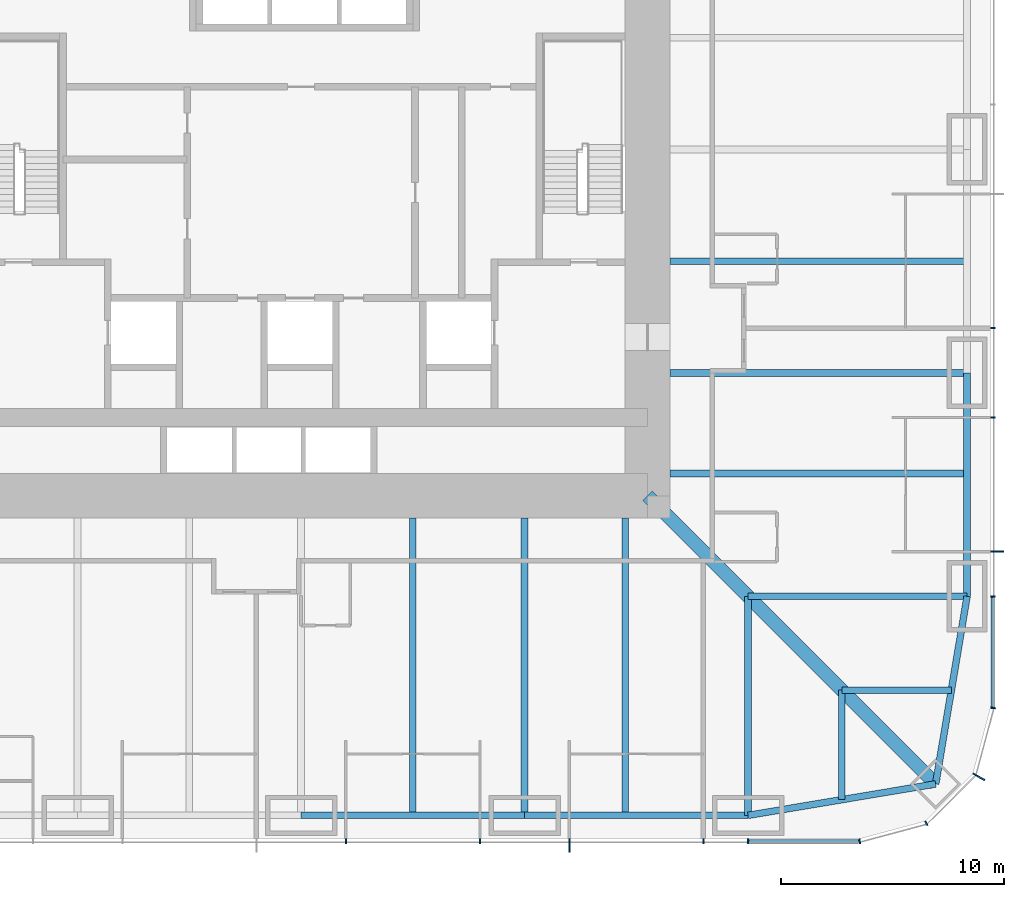
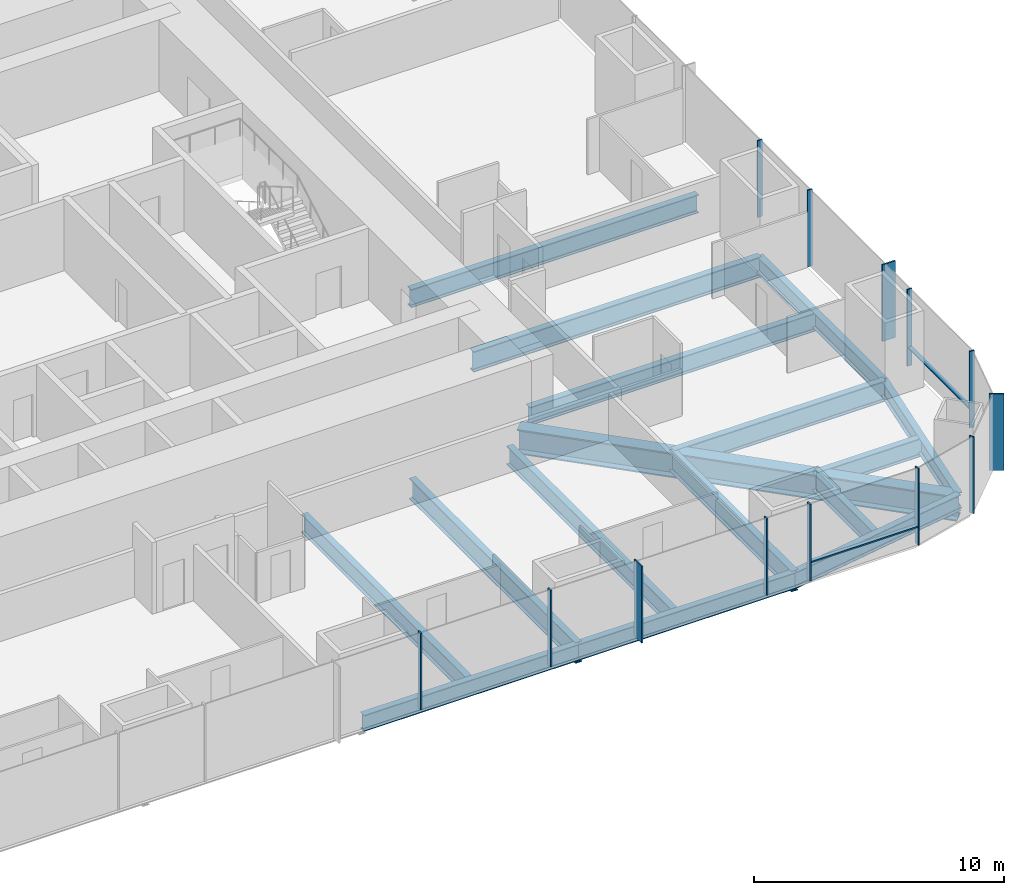
# One storey, part 4 of 17: 16 beams, 15 members, 3 elements without a shape of their own.
"""IFC4 building model written with IfcOpenShell, lengths in metres."""

from ifc_helpers import new_model, si_unit, direction, frame, origin, origin_2d, place, context, subcontext, project, spatial, rectangle, i_section, extrude, material, material_profile, profile_set, type_object, element, aggregate, save


model = new_model("IFC4")

# Units and contexts
model_context = context("Model", 3, precision=1e-05, world=origin(), true_north=direction((0.0, 1.0)))
body_context = subcontext(model_context, "Body", "Model", "MODEL_VIEW")
ifc_project = project(units=[si_unit("LENGTHUNIT", "METRE"), si_unit("AREAUNIT", "SQUARE_METRE"), si_unit("VOLUMEUNIT", "CUBIC_METRE"), si_unit("PLANEANGLEUNIT", "RADIAN"), si_unit("MASSUNIT", "GRAM", prefix="KILO")], contexts=[model_context])

# Site, building, storey
site_placement = place(None, origin())
site = spatial("IfcSite", under=ifc_project, at=site_placement, CompositionType="ELEMENT")
building_placement = place(site_placement, origin())
building = spatial("IfcBuilding", under=site, at=building_placement, Name="Khuree Lantern Residences", CompositionType="ELEMENT")
storey_placement = place(building_placement, frame((0.0, 0.0, 88.5)))
storey = spatial("IfcBuildingStorey", under=building, at=storey_placement, Name="L22", CompositionType="ELEMENT", Elevation=88.5)

# Beams
ifc_material_1 = material(Name="Steel S355", Category="steel")
ifc_material_profile_1 = material_profile(ifc_material_1, i_section(OverallWidth=0.300048828125, OverallDepth=0.889892578125, WebThickness=0.01611328125, FlangeThickness=0.030029296875, FilletRadius=0.030029296875, at=origin_2d()), Name="HE 900 A")
ifc_profile_set_1 = profile_set([ifc_material_profile_1], Name="Steel S355")
beam_type_1 = type_object("IfcBeamType", Name="B-15 SECONDARY BEAM HE 900 A", PredefinedType="BEAM", material=ifc_profile_set_1)
for number, where, z_axis, x_axis, name in (
    (1, (29.800048828125, -5.0, -0.695068359375), (-1.0, 0.0, 0.0), (0.0, -1.0, 0.0), "Secondary beam E4"),
    (2, (29.800048828125, -14.5, -0.695068359375), (-1.0, 0.0, 0.0), (0.0, -1.0, 0.0), "Secondary beam E5"),
):
    element("IfcBeam", number, at=place(storey_placement, frame(where, z_axis=z_axis, x_axis=x_axis)), inside=storey, type_object=beam_type_1, Name=name, PredefinedType="BEAM", context=body_context, shape_type="SweptSolid", body=[
        extrude(i_section(OverallWidth=0.300048828125, OverallDepth=0.889892578125, WebThickness=0.01611328125, FlangeThickness=0.030029296875, FilletRadius=0.030029296875, at=origin_2d()), origin(), (0.0, 0.0, 1.0), 13.300048828125),
    ])
for number, where, z_axis, x_axis, name in (
    (3, (29.09716796875, -24.197021484375, -0.695068359375), (-1.0, 0.0, 0.0), (0.0, -1.0, 0.0), "Secondary beam E6"),
    (4, (24.197021484375, -29.09716796875, -0.695068359375), (0.0, 1.0, 0.0), (-1.0, 0.0, 0.0), "Secondary beam S1"),
):
    element("IfcBeam", number, at=place(storey_placement, frame(where, z_axis=z_axis, x_axis=x_axis)), inside=storey, type_object=beam_type_1, Name=name, PredefinedType="BEAM", context=body_context, shape_type="SweptSolid", body=[
        extrude(i_section(OverallWidth=0.300048828125, OverallDepth=0.889892578125, WebThickness=0.01611328125, FlangeThickness=0.030029296875, FilletRadius=0.030029296875, at=origin_2d()), origin(), (0.0, 0.0, 1.0), 4.900146484375),
    ])
for number, where, z_axis, x_axis, name in (
    (5, (14.5, -29.800048828125, -0.695068359375), (0.0, 1.0, 0.0), (-1.0, 0.0, 0.0), "Secondary beam S2"),
    (6, (5.0, -29.800048828125, -0.695068359375), (0.0, 1.0, 0.0), (-1.0, 0.0, 0.0), "Secondary beam S3"),
):
    element("IfcBeam", number, at=place(storey_placement, frame(where, z_axis=z_axis, x_axis=x_axis)), inside=storey, type_object=beam_type_1, Name=name, PredefinedType="BEAM", context=body_context, shape_type="SweptSolid", body=[
        extrude(i_section(OverallWidth=0.300048828125, OverallDepth=0.889892578125, WebThickness=0.01611328125, FlangeThickness=0.030029296875, FilletRadius=0.030029296875, at=origin_2d()), origin(), (0.0, 0.0, 1.0), 13.300048828125),
    ])
ifc_material_profile_2 = material_profile(ifc_material_1, i_section(OverallWidth=0.300048828125, OverallDepth=0.7900390625, WebThickness=0.014892578125, FlangeThickness=0.028076171875, FilletRadius=0.030029296875, at=origin_2d()), Name="HE 800 A")
ifc_profile_set_2 = profile_set([ifc_material_profile_2], Name="Steel S355")
beam_type_2 = type_object("IfcBeamType", Name="E-15 SPANDREL BEAM HE 800 A", PredefinedType="SPANDREL", material=ifc_profile_set_2)
beam_1_placement = place(storey_placement, frame((29.800048828125, -10.0, -0.64501953125), z_axis=(0.0, -1.0, 0.0), x_axis=(1.0, 0.0, 0.0)))
element("IfcBeam", 7, at=beam_1_placement, inside=storey, type_object=beam_type_2, Name="Spandrel beam E5", PredefinedType="SPANDREL", context=body_context, shape_type="SweptSolid", body=[
    extrude(i_section(OverallWidth=0.300048828125, OverallDepth=0.7900390625, WebThickness=0.014892578125, FlangeThickness=0.028076171875, FilletRadius=0.030029296875, at=origin_2d()), origin(), (0.0, 0.0, 1.0), 10.0),
])
for number, where, z_axis, x_axis, name in (
    (8, (29.800048828125, -20.0, -0.64501953125), (-0.165199022349, -0.986260251158, 0.0), (0.986260251158, -0.165199022349, 0.0), "Spandrel beam E6"),
    (9, (28.39404296875, -28.39404296875, -0.64501953125), (-0.986260251158, -0.165199022349, 0.0), (0.165199022349, -0.986260251158, 0.0), "Spandrel beam S1"),
):
    element("IfcBeam", number, at=place(storey_placement, frame(where, z_axis=z_axis, x_axis=x_axis)), inside=storey, type_object=beam_type_2, Name=name, PredefinedType="SPANDREL", context=body_context, shape_type="SweptSolid", body=[
        extrude(i_section(OverallWidth=0.300048828125, OverallDepth=0.7900390625, WebThickness=0.014892578125, FlangeThickness=0.028076171875, FilletRadius=0.030029296875, at=origin_2d()), origin(), (0.0, 0.0, 1.0), 8.510986328125),
    ])
for number, where, z_axis, x_axis, name in (
    (10, (20.0, -29.800048828125, -0.64501953125), (-1.0, 0.0, 0.0), (0.0, -1.0, 0.0), "Spandrel beam S2"),
    (11, (10.0, -29.800048828125, -0.64501953125), (-1.0, 0.0, 0.0), (0.0, -1.0, 0.0), "Spandrel beam S3"),
):
    element("IfcBeam", number, at=place(storey_placement, frame(where, z_axis=z_axis, x_axis=x_axis)), inside=storey, type_object=beam_type_2, Name=name, PredefinedType="SPANDREL", context=body_context, shape_type="SweptSolid", body=[
        extrude(i_section(OverallWidth=0.300048828125, OverallDepth=0.7900390625, WebThickness=0.014892578125, FlangeThickness=0.028076171875, FilletRadius=0.030029296875, at=origin_2d()), origin(), (0.0, 0.0, 1.0), 10.0),
    ])

# Curtain wall, member
ifc_material_2 = material(Name="Bronze anodised aluminium", Category="aluminium")
curtain_wall_type_1 = type_object("IfcCurtainWallType", Name="CW-T2 TOWER CORNER CURTAIN WALL", PredefinedType="USERDEFINED", material=ifc_material_2)
curtain_wall_1_placement = place(storey_placement, origin())
curtain_wall_1 = element("IfcCurtainWall", 12, at=curtain_wall_1_placement, inside=storey, type_object=curtain_wall_type_1, Name="L22 SOUTH-EAST CORNER CURTAIN WALL", ObjectType="Faceted corner curtain wall", PredefinedType="USERDEFINED")
ifc_material_profile_3 = material_profile(ifc_material_2, rectangle(XDim=0.06494140625, YDim=0.60009765625, at=origin_2d()), Name="F1 65X600")
ifc_profile_set_3 = profile_set([ifc_material_profile_3], Name="Bronze anodised aluminium")
member_type_1 = type_object("IfcMemberType", Name="F1 BRONZE FIN MULLION TOWER 65X600", PredefinedType="MULLION", material=ifc_profile_set_3)
member_1_placement = place(storey_placement, frame((30.326171875, -28.074951171875, 0.0), z_axis=(0.0, 0.0, 1.0), x_axis=(0.500000056923, 0.86602537092, 0.0)))
member_1 = element("IfcMember", 13, at=member_1_placement, type_object=member_type_1, Name="L22 SOUTH-EAST CORNER FIN MULLION 3", PredefinedType="MULLION", context=body_context, shape_type="SweptSolid", body=[
    extrude(rectangle(XDim=0.06494140625, YDim=0.60009765625, at=origin_2d()), origin(), (0.0, 0.0, 1.0), 3.75),
])

curtain_wall_type_2 = type_object("IfcCurtainWallType", Name="CW-T1 TOWER FACE CURTAIN WALL", PredefinedType="USERDEFINED", material=ifc_material_2)
curtain_wall_2_placement = place(storey_placement, origin())
curtain_wall_2 = element("IfcCurtainWall", 14, at=curtain_wall_2_placement, inside=storey, type_object=curtain_wall_type_2, Name="L22 EAST FACE CURTAIN WALL", ObjectType="Stick-built curtain wall", PredefinedType="USERDEFINED")
member_2_placement = place(storey_placement, frame((31.14990234375, -18.0, 0.0), z_axis=(0.0, 0.0, 1.0), x_axis=(0.0, 1.0, 0.0)))
member_2 = element("IfcMember", 15, at=member_2_placement, type_object=member_type_1, Name="L22 EAST FACE FIN MULLION 6", PredefinedType="MULLION", context=body_context, shape_type="SweptSolid", body=[
    extrude(rectangle(XDim=0.06494140625, YDim=0.60009765625, at=origin_2d()), origin(), (0.0, 0.0, 1.0), 3.75),
])

curtain_wall_3_placement = place(storey_placement, origin())
curtain_wall_3 = element("IfcCurtainWall", 16, at=curtain_wall_3_placement, inside=storey, type_object=curtain_wall_type_2, Name="L22 SOUTH FACE CURTAIN WALL", ObjectType="Stick-built curtain wall", PredefinedType="USERDEFINED")
member_3_placement = place(storey_placement, frame((12.0, -31.14990234375, 0.0), z_axis=(0.0, 0.0, 1.0), x_axis=(1.0, 0.0, 0.0)))
member_3 = element("IfcMember", 17, at=member_3_placement, type_object=member_type_1, Name="L22 SOUTH FACE FIN MULLION 54", PredefinedType="MULLION", context=body_context, shape_type="SweptSolid", body=[
    extrude(rectangle(XDim=0.06494140625, YDim=0.60009765625, at=origin_2d()), origin(), (0.0, 0.0, 1.0), 3.75),
])

# Beams
ifc_material_profile_4 = material_profile(ifc_material_1, i_section(OverallWidth=0.302001953125, OverallDepth=1.008056640625, WebThickness=0.02099609375, FlangeThickness=0.0400390625, FilletRadius=0.030029296875, at=origin_2d()), Name="HE 1000 M")
ifc_profile_set_4 = profile_set([ifc_material_profile_4], Name="Steel S355")
beam_type_3 = type_object("IfcBeamType", Name="G-15 GIRDER HE 1000 M", PredefinedType="BEAM", material=ifc_profile_set_4)
beam_2_placement = place(storey_placement, frame((29.800048828125, -10.0, -0.75390625), z_axis=(-1.0, 0.0, 0.0), x_axis=(0.0, -1.0, 0.0)))
element("IfcBeam", 18, at=beam_2_placement, inside=storey, type_object=beam_type_3, Name="Girder E4", PredefinedType="BEAM", context=body_context, shape_type="SweptSolid", body=[
    extrude(i_section(OverallWidth=0.302001953125, OverallDepth=1.008056640625, WebThickness=0.02099609375, FlangeThickness=0.0400390625, FilletRadius=0.030029296875, at=origin_2d()), origin(), (0.0, 0.0, 1.0), 13.300048828125),
])
for number, where, z_axis, x_axis, name in (
    (19, (29.800048828125, -20.0, -0.75390625), (-1.0, 0.0, 0.0), (0.0, -1.0, 0.0), "Girder E5"),
    (20, (20.0, -29.800048828125, -0.75390625), (0.0, 1.0, 0.0), (-1.0, 0.0, 0.0), "Girder S1"),
):
    element("IfcBeam", number, at=place(storey_placement, frame(where, z_axis=z_axis, x_axis=x_axis)), inside=storey, type_object=beam_type_3, Name=name, PredefinedType="BEAM", context=body_context, shape_type="SweptSolid", body=[
        extrude(i_section(OverallWidth=0.302001953125, OverallDepth=1.008056640625, WebThickness=0.02099609375, FlangeThickness=0.0400390625, FilletRadius=0.030029296875, at=origin_2d()), origin(), (0.0, 0.0, 1.0), 9.800048828125),
    ])
beam_3_placement = place(storey_placement, frame((10.0, -29.800048828125, -0.75390625), z_axis=(0.0, 1.0, 0.0), x_axis=(-1.0, 0.0, 0.0)))
element("IfcBeam", 21, at=beam_3_placement, inside=storey, type_object=beam_type_3, Name="Girder S2", PredefinedType="BEAM", context=body_context, shape_type="SweptSolid", body=[
    extrude(i_section(OverallWidth=0.302001953125, OverallDepth=1.008056640625, WebThickness=0.02099609375, FlangeThickness=0.0400390625, FilletRadius=0.030029296875, at=origin_2d()), origin(), (0.0, 0.0, 1.0), 13.300048828125),
])
ifc_material_profile_5 = material_profile(ifc_material_1, i_section(OverallWidth=0.60009765625, OverallDepth=1.199951171875, WebThickness=0.030029296875, FlangeThickness=0.06005859375, at=origin_2d()), Name="WELDED I 1200X600X30X60")
ifc_profile_set_5 = profile_set([ifc_material_profile_5], Name="Steel S355")
beam_type_4 = type_object("IfcBeamType", Name="GD-15 CORNER GIRDER WELDED I 1200X600X30X60", PredefinedType="BEAM", material=ifc_profile_set_5)
beam_4_placement = place(storey_placement, frame((28.39404296875, -28.39404296875, -0.85009765625), z_axis=(-0.707106781187, 0.707106781187, 0.0), x_axis=(-0.707106781187, -0.707106781187, 0.0)))
element("IfcBeam", 22, at=beam_4_placement, inside=storey, type_object=beam_type_4, Name="Corner girder SE", PredefinedType="BEAM", context=body_context, shape_type="SweptSolid", body=[
    extrude(i_section(OverallWidth=0.60009765625, OverallDepth=1.199951171875, WebThickness=0.030029296875, FlangeThickness=0.06005859375, at=origin_2d()), origin(), (0.0, 0.0, 1.0), 18.23486328125),
])

# Member
ifc_material_profile_6 = material_profile(ifc_material_2, rectangle(XDim=0.06494140625, YDim=0.219970703125, at=origin_2d()), Name="M1 65X220")
ifc_profile_set_6 = profile_set([ifc_material_profile_6], Name="Bronze anodised aluminium")
member_type_2 = type_object("IfcMemberType", Name="M1 BRONZE MULLION TOWER 65X220", PredefinedType="MULLION", material=ifc_profile_set_6)
member_4_placement = place(storey_placement, frame((24.994873046875, -30.961669921875, 0.0), z_axis=(0.0, 0.0, 1.0), x_axis=(0.991444852794, 0.130526257387, 0.0)))
member_4 = element("IfcMember", 23, at=member_4_placement, type_object=member_type_2, Name="L22 SOUTH-EAST CORNER MULLION 1", PredefinedType="MULLION", context=body_context, shape_type="SweptSolid", body=[
    extrude(rectangle(XDim=0.06494140625, YDim=0.219970703125, at=origin_2d()), origin(), (0.0, 0.0, 1.0), 3.75),
])

member_5_placement = place(storey_placement, frame((27.97998046875, -30.16162109375, 0.0), z_axis=(0.0, 0.0, 1.0), x_axis=(0.86602537092, 0.500000056923, 0.0)))
member_5 = element("IfcMember", 24, at=member_5_placement, type_object=member_type_2, Name="L22 SOUTH-EAST CORNER MULLION 2", PredefinedType="MULLION", context=body_context, shape_type="SweptSolid", body=[
    extrude(rectangle(XDim=0.06494140625, YDim=0.219970703125, at=origin_2d()), origin(), (0.0, 0.0, 1.0), 3.75),
])

aggregate(curtain_wall_1, [member_4, member_5, member_1])

member_6_placement = place(storey_placement, frame((30.961669921875, -24.994873046875, 0.0), z_axis=(0.0, 0.0, 1.0), x_axis=(0.130526257387, 0.991444852794, 0.0)))
member_6 = element("IfcMember", 25, at=member_6_placement, type_object=member_type_2, Name="L22 EAST FACE MULLION 4", PredefinedType="MULLION", context=body_context, shape_type="SweptSolid", body=[
    extrude(rectangle(XDim=0.06494140625, YDim=0.219970703125, at=origin_2d()), origin(), (0.0, 0.0, 1.0), 3.75),
])

member_7_placement = place(storey_placement, frame((30.9599609375, -20.0, 0.0), z_axis=(0.0, 0.0, 1.0), x_axis=(0.0, 1.0, 0.0)))
member_7 = element("IfcMember", 26, at=member_7_placement, type_object=member_type_2, Name="L22 EAST FACE MULLION 5", PredefinedType="MULLION", context=body_context, shape_type="SweptSolid", body=[
    extrude(rectangle(XDim=0.06494140625, YDim=0.219970703125, at=origin_2d()), origin(), (0.0, 0.0, 1.0), 3.75),
])

member_8_placement = place(storey_placement, frame((30.9599609375, -12.0, 0.0), z_axis=(0.0, 0.0, 1.0), x_axis=(0.0, 1.0, 0.0)))
member_8 = element("IfcMember", 27, at=member_8_placement, type_object=member_type_2, Name="L22 EAST FACE MULLION 7", PredefinedType="MULLION", context=body_context, shape_type="SweptSolid", body=[
    extrude(rectangle(XDim=0.06494140625, YDim=0.219970703125, at=origin_2d()), origin(), (0.0, 0.0, 1.0), 3.75),
])

member_9_placement = place(storey_placement, frame((30.9599609375, -8.0, 0.0), z_axis=(0.0, 0.0, 1.0), x_axis=(0.0, 1.0, 0.0)))
member_9 = element("IfcMember", 28, at=member_9_placement, type_object=member_type_2, Name="L22 EAST FACE MULLION 8", PredefinedType="MULLION", context=body_context, shape_type="SweptSolid", body=[
    extrude(rectangle(XDim=0.06494140625, YDim=0.219970703125, at=origin_2d()), origin(), (0.0, 0.0, 1.0), 3.75),
])

member_10_placement = place(storey_placement, frame((2.0, -30.9599609375, 0.0), z_axis=(0.0, 0.0, 1.0), x_axis=(1.0, 0.0, 0.0)))
member_10 = element("IfcMember", 29, at=member_10_placement, type_object=member_type_2, Name="L22 SOUTH FACE MULLION 52", PredefinedType="MULLION", context=body_context, shape_type="SweptSolid", body=[
    extrude(rectangle(XDim=0.06494140625, YDim=0.219970703125, at=origin_2d()), origin(), (0.0, 0.0, 1.0), 3.75),
])

member_11_placement = place(storey_placement, frame((8.0, -30.9599609375, 0.0), z_axis=(0.0, 0.0, 1.0), x_axis=(1.0, 0.0, 0.0)))
member_11 = element("IfcMember", 30, at=member_11_placement, type_object=member_type_2, Name="L22 SOUTH FACE MULLION 53", PredefinedType="MULLION", context=body_context, shape_type="SweptSolid", body=[
    extrude(rectangle(XDim=0.06494140625, YDim=0.219970703125, at=origin_2d()), origin(), (0.0, 0.0, 1.0), 3.75),
])

member_12_placement = place(storey_placement, frame((18.0, -30.9599609375, 0.0), z_axis=(0.0, 0.0, 1.0), x_axis=(1.0, 0.0, 0.0)))
member_12 = element("IfcMember", 31, at=member_12_placement, type_object=member_type_2, Name="L22 SOUTH FACE MULLION 55", PredefinedType="MULLION", context=body_context, shape_type="SweptSolid", body=[
    extrude(rectangle(XDim=0.06494140625, YDim=0.219970703125, at=origin_2d()), origin(), (0.0, 0.0, 1.0), 3.75),
])

member_13_placement = place(storey_placement, frame((20.0, -30.9599609375, 0.0), z_axis=(0.0, 0.0, 1.0), x_axis=(1.0, 0.0, 0.0)))
member_13 = element("IfcMember", 32, at=member_13_placement, type_object=member_type_2, Name="L22 SOUTH FACE MULLION 56", PredefinedType="MULLION", context=body_context, shape_type="SweptSolid", body=[
    extrude(rectangle(XDim=0.06494140625, YDim=0.219970703125, at=origin_2d()), origin(), (0.0, 0.0, 1.0), 3.75),
])

ifc_material_profile_7 = material_profile(ifc_material_2, rectangle(XDim=0.179931640625, YDim=0.06494140625, at=origin_2d()), Name="T1 180X65")
ifc_profile_set_7 = profile_set([ifc_material_profile_7], Name="Bronze anodised aluminium")
member_type_3 = type_object("IfcMemberType", Name="TRANSOM T1 TOWER 180X65", PredefinedType="USERDEFINED", material=ifc_profile_set_7)
member_14_placement = place(storey_placement, frame((30.969970703125, -24.951416015625, 0.89990234375), z_axis=(0.0, 1.0, 0.0), x_axis=(-1.0, 0.0, 0.0)))
member_14 = element("IfcMember", 33, at=member_14_placement, type_object=member_type_3, Name="L22 EAST FACE TRANSOM 4.1", ObjectType="Transom", PredefinedType="USERDEFINED", context=body_context, shape_type="SweptSolid", body=[
    extrude(rectangle(XDim=0.179931640625, YDim=0.06494140625, at=origin_2d()), origin(), (0.0, 0.0, 1.0), 4.9189453125),
])

aggregate(curtain_wall_2, [member_6, member_7, member_2, member_8, member_9, member_14])

member_15_placement = place(storey_placement, frame((20.032470703125, -30.969970703125, 0.89990234375), z_axis=(1.0, 0.0, 0.0), x_axis=(0.0, 1.0, 0.0)))
member_15 = element("IfcMember", 34, at=member_15_placement, type_object=member_type_3, Name="L22 SOUTH FACE TRANSOM 56.1", ObjectType="Transom", PredefinedType="USERDEFINED", context=body_context, shape_type="SweptSolid", body=[
    extrude(rectangle(XDim=0.179931640625, YDim=0.06494140625, at=origin_2d()), origin(), (0.0, 0.0, 1.0), 4.9189453125),
])

aggregate(curtain_wall_3, [member_10, member_11, member_3, member_12, member_13, member_15])

save(model, "model.ifc")
